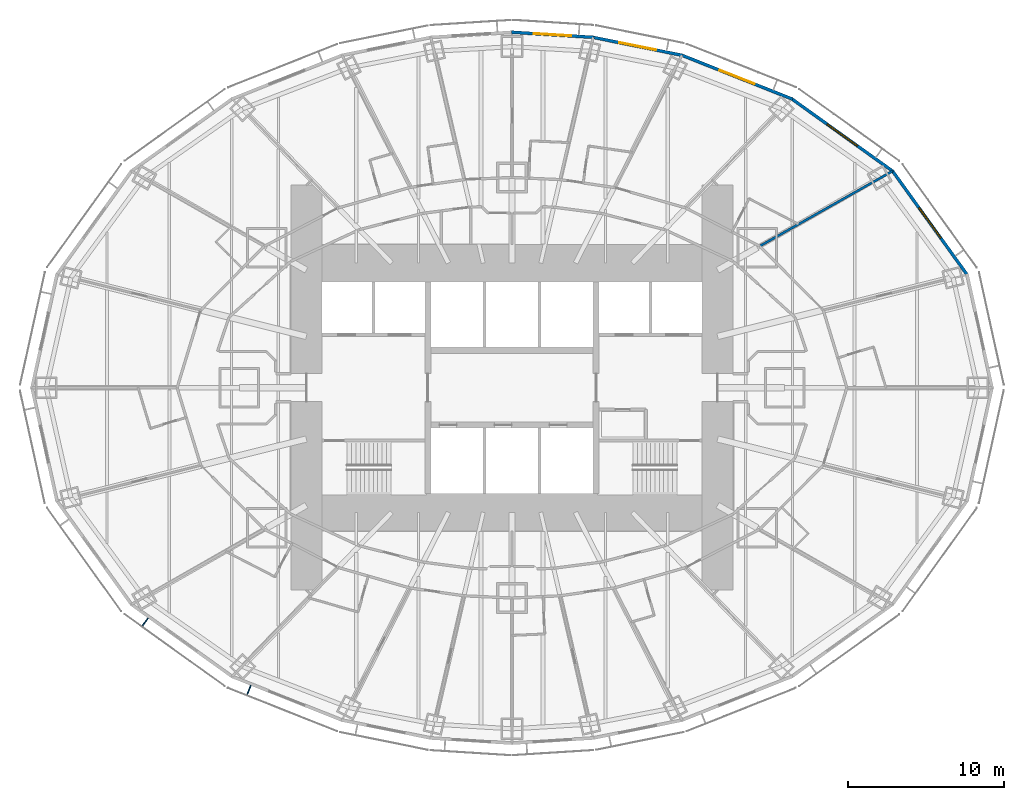
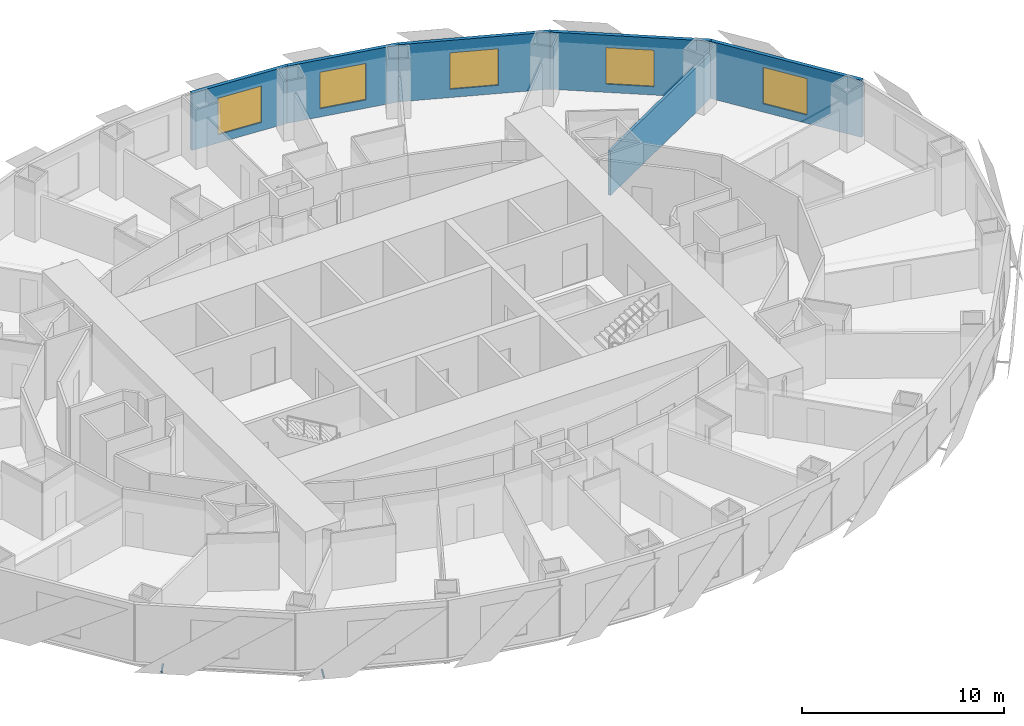
# One storey, part 10 of 15: 6 walls, 5 windows, 2 discrete accessories, 5 openings.
"""IFC4 building model written with IfcOpenShell, lengths in metres."""

import ifcopenshell
import ifcopenshell.guid

model = None  # the IFC model being written
_history = None  # IfcOwnerHistory: only IFC2X3 demands one
_inside = {}  # id of a spatial element -> (the spatial element, [elements in it])
_under = {}  # id of a project, library or spatial element -> (it, [spatial elements below it])
_declared = {}  # id of a project -> (the project, [libraries it declares])
_typed = {}  # id of a type object -> (the type object, [elements of that type])
_made_of = {}  # id of a material, layer set ... -> (it, [elements and type objects made of it])


def new_model(schema):
    """Start an empty IFC model of exactly this schema.

    Asked for "IFC4X3", IfcOpenShell would pick the latest addendum, in which some entities
    have other attributes; the version numbers below select the first issue.
    IFC2X3 requires an IfcOwnerHistory on every rooted entity: one is made here for all.
    """
    global model, _history
    if schema == "IFC4X3":
        model = ifcopenshell.file(schema_version=(4, 3, 0, 0))
    else:
        model = ifcopenshell.file(schema=schema)
    _inside.clear()
    _under.clear()
    _declared.clear()
    _typed.clear()
    _made_of.clear()
    _history = None
    if model.schema == "IFC2X3":
        org = make("IfcOrganization", Name="unknown")
        user = make(
            "IfcPersonAndOrganization",
            ThePerson=make("IfcPerson", FamilyName="unknown"),
            TheOrganization=org,
        )
        app = make(
            "IfcApplication",
            ApplicationDeveloper=org,
            Version="unknown",
            ApplicationFullName="unknown",
            ApplicationIdentifier="unknown",
        )
        _history = make(
            "IfcOwnerHistory",
            OwningUser=user,
            OwningApplication=app,
            ChangeAction="ADDED",
            CreationDate=0,
        )
    return model


def make(cls, **values):
    """One entity of the class cls with the attributes given. An attribute that is None is left unset."""
    return model.create_entity(
        cls, **{name: value for name, value in values.items() if value is not None}
    )


def rooted(cls, **values):
    """An entity with a GlobalId (a new one), such as an element, a storey or a relation."""
    return make(cls, GlobalId=ifcopenshell.guid.new(), OwnerHistory=_history, **values)


def si_unit(unit_type, name, prefix=None):
    """IfcSIUnit, for example si_unit("LENGTHUNIT", "METRE", prefix="MILLI")."""
    return make("IfcSIUnit", UnitType=unit_type, Prefix=prefix, Name=name)


def assignment(units):
    """IfcUnitAssignment: the units of a project."""
    return None if units is None else make("IfcUnitAssignment", Units=units)


def point(xyz):
    """IfcCartesianPoint."""
    return None if xyz is None else make("IfcCartesianPoint", Coordinates=xyz)


def direction(xyz):
    """IfcDirection."""
    return None if xyz is None else make("IfcDirection", DirectionRatios=xyz)


def frame(location, z_axis=None, x_axis=None):
    """IfcAxis2Placement3D, a coordinate frame: its origin and axes. An axis left out is left unset."""
    return make(
        "IfcAxis2Placement3D",
        Location=point(location),
        Axis=direction(z_axis),
        RefDirection=direction(x_axis),
    )


def frame_2d(location, x_axis=None):
    """IfcAxis2Placement2D, a coordinate frame in the plane: its origin and x axis."""
    return make(
        "IfcAxis2Placement2D", Location=point(location), RefDirection=direction(x_axis)
    )


def origin():
    """The frame at (0, 0, 0) with its axes left unset."""
    return frame((0.0, 0.0, 0.0))


def origin_2d():
    """The frame at (0, 0) in the plane with its x axis left unset."""
    return frame_2d((0.0, 0.0))


def place(relative_to, where):
    """IfcLocalPlacement: puts the frame where relative to a parent placement (None: the world)."""
    return make(
        "IfcLocalPlacement", PlacementRelTo=relative_to, RelativePlacement=where
    )


def context(
    kind, dimensions, precision=None, world=None, true_north=None, identifier=None
):
    """IfcGeometricRepresentationContext, for example the 3D "Model" context."""
    return make(
        "IfcGeometricRepresentationContext",
        ContextIdentifier=identifier,
        ContextType=kind,
        CoordinateSpaceDimension=dimensions,
        Precision=precision,
        WorldCoordinateSystem=world,
        TrueNorth=true_north,
    )


def subcontext(parent, identifier, kind, view, scale=None):
    """IfcGeometricRepresentationSubContext, for example "Body" below "Model"."""
    return make(
        "IfcGeometricRepresentationSubContext",
        ContextIdentifier=identifier,
        ContextType=kind,
        ParentContext=parent,
        TargetScale=scale,
        TargetView=view,
    )


def project(units=None, contexts=None):
    """IfcProject with its units and contexts."""
    return rooted(
        "IfcProject",
        Name="project",
        RepresentationContexts=contexts,
        UnitsInContext=assignment(units),
    )


def spatial(cls, under=None, at=None, **own):
    """A site, building, storey or space (cls), placed at a placement, below another one or the project."""
    s = rooted(cls, ObjectPlacement=at, **own)
    if under is not None:
        _under.setdefault(under.id(), (under, []))[1].append(s)
    return s


def profile(cls, at=None, kind="AREA", **sizes):
    """A parametric profile (cls). Its sizes go by their IFC names, for example OverallWidth=200.0."""
    return make(cls, ProfileType=kind, Position=at, **sizes)


def rectangle(**sizes):
    """IfcRectangleProfileDef."""
    return profile("IfcRectangleProfileDef", **sizes)


def extrude(swept, where, along, depth):
    """IfcExtrudedAreaSolid: the profile swept, set in the frame where, extruded along a direction by depth."""
    return make(
        "IfcExtrudedAreaSolid",
        SweptArea=swept,
        Position=where,
        ExtrudedDirection=direction(along),
        Depth=depth,
    )


def shape(context_of_items, identifier, shape_type, items):
    """IfcShapeRepresentation: the items that make up one representation, for example the "Body"."""
    return make(
        "IfcShapeRepresentation",
        ContextOfItems=context_of_items,
        RepresentationIdentifier=identifier,
        RepresentationType=shape_type,
        Items=items,
    )


def material(Name=None, Category=None):
    """IfcMaterial."""
    return make("IfcMaterial", Name=Name, Category=Category)


def layer(
    of_material, thickness, ventilated=None, Name=None, Category=None, Priority=None
):
    """IfcMaterialLayer: one layer of a wall or slab, of a material (None: an air gap)."""
    return make(
        "IfcMaterialLayer",
        Material=of_material,
        LayerThickness=thickness,
        IsVentilated=ventilated,
        Name=Name,
        Category=Category,
        Priority=Priority,
    )


def layer_set(layers, Name=None):
    """IfcMaterialLayerSet."""
    return make("IfcMaterialLayerSet", MaterialLayers=layers, LayerSetName=Name)


def made_of(thing, what):
    """Note that an element or type object is made of a material, layer set ...; save() writes the relation."""
    if what is not None:
        _made_of.setdefault(what.id(), (what, []))[1].append(thing)
    return thing


def type_object(cls, material=None, **own):
    """A type object (cls), such as IfcWallType, which elements share."""
    return made_of(rooted(cls, **own), material)


def element(
    cls,
    number,
    at=None,
    inside=None,
    cuts=None,
    type_object=None,
    material=None,
    context=None,
    identifier="Body",
    shape_type=None,
    held_by="IfcProductDefinitionShape",
    body=None,
    shapes=None,
    **own,
):
    """One element of the class cls, such as IfcWall. Its Tag is "e" and its number.

    at: its placement. inside: the storey or other place that contains it. cuts: it is an
    opening in that element (IfcRelVoidsElement). A single representation is given by context,
    identifier, shape_type and body (its items); several are given by shapes. held_by: the class
    of the entity that holds the representations. save() writes the other relations.
    """
    e = rooted(cls, Tag="e%d" % number, ObjectPlacement=at, **own)
    if body is not None:
        shapes = [shape(context, identifier, shape_type, body)]
    if shapes is not None:
        e.Representation = make(held_by, Representations=shapes)
    if inside is not None:
        _inside.setdefault(inside.id(), (inside, []))[1].append(e)
    if cuts is not None:
        rooted(
            "IfcRelVoidsElement", RelatingBuildingElement=cuts, RelatedOpeningElement=e
        )
    if type_object is not None:
        _typed.setdefault(type_object.id(), (type_object, []))[1].append(e)
    return made_of(e, material)


def fill(opening, filler):
    """IfcRelFillsElement: the door or window that sits in an opening."""
    return rooted(
        "IfcRelFillsElement",
        RelatingOpeningElement=opening,
        RelatedBuildingElement=filler,
    )


def aggregate(whole, parts):
    """IfcRelAggregates: a whole, such as a stair, and the parts it consists of."""
    return rooted("IfcRelAggregates", RelatingObject=whole, RelatedObjects=parts)


def save(model, path):
    """Write the relations noted so far, then the file.

    IfcRelAggregates (storeys below a building ...), IfcRelContainedInSpatialStructure (elements
    in a storey), IfcRelDefinesByType, IfcRelAssociatesMaterial and IfcRelDeclares: one each for
    every whole, place, type object, material and project.
    """
    for whole, parts in _under.values():
        aggregate(whole, parts)
    for where, things in _inside.values():
        rooted(
            "IfcRelContainedInSpatialStructure",
            RelatedElements=things,
            RelatingStructure=where,
        )
    for kind, things in _typed.values():
        rooted("IfcRelDefinesByType", RelatedObjects=things, RelatingType=kind)
    for what, things in _made_of.values():
        rooted("IfcRelAssociatesMaterial", RelatedObjects=things, RelatingMaterial=what)
    for by, libraries in _declared.values():
        rooted("IfcRelDeclares", RelatingContext=by, RelatedDefinitions=libraries)
    model.write(path)


model = new_model("IFC4")

# Units and contexts
model_context = context("Model", 3, precision=1e-05, world=origin(), true_north=direction((0.0, 1.0)))
body_context = subcontext(model_context, "Body", "Model", "MODEL_VIEW")
ifc_project = project(units=[si_unit("LENGTHUNIT", "METRE"), si_unit("AREAUNIT", "SQUARE_METRE"), si_unit("VOLUMEUNIT", "CUBIC_METRE"), si_unit("PLANEANGLEUNIT", "RADIAN"), si_unit("MASSUNIT", "GRAM", prefix="KILO")], contexts=[model_context])

# Site, building, storey
site_placement = place(None, origin())
site = spatial("IfcSite", under=ifc_project, at=site_placement, CompositionType="ELEMENT")
building_placement = place(site_placement, origin())
building = spatial("IfcBuilding", under=site, at=building_placement, Name="Lantaw Convention Tower", CompositionType="ELEMENT")
storey_placement = place(building_placement, frame((0.0, 0.0, 47.800048828125)))
storey = spatial("IfcBuildingStorey", under=building, at=storey_placement, Name="L09", CompositionType="ELEMENT", Elevation=47.800048828125)

# Wall, opening, window
ifc_material_1 = material(Name="Insulated aluminium panel on steel frame", Category="steel")
ifc_layer_1 = layer(ifc_material_1, 0.199951171875)
ifc_layer_set_1 = layer_set([ifc_layer_1], Name="External wall 200")
wall_type_1 = type_object("IfcWallType", Name="External wall 200", PredefinedType="SOLIDWALL", material=ifc_layer_set_1)
wall_1_placement = place(storey_placement, frame((29.260498046875, 7.199951171875, 0.0), z_axis=(0.0, 0.0, 1.0), x_axis=(-0.583937613703, 0.811798536155, 0.0)))
wall_1 = element("IfcWall", 1, at=wall_1_placement, inside=storey, type_object=wall_type_1, Name="Facade panel wall", PredefinedType="SOLIDWALL", context=body_context, shape_type="SweptSolid", body=[
    extrude(rectangle(XDim=8.322998046875, YDim=0.199951171875, at=frame_2d((4.16162109375, 0.0))), origin(), (0.0, 0.0, 1.0), 3.449951171875),
])
opening_1_placement = place(wall_1_placement, frame((2.96142578125, 0.0, 0.5)))
opening_1 = element("IfcOpeningElement", 2, at=opening_1_placement, cuts=wall_1, Name="Opening W1", PredefinedType="OPENING", context=body_context, shape_type="SweptSolid", body=[
    extrude(rectangle(XDim=2.39990234375, YDim=2.199951171875, at=frame_2d((1.199951171875, 1.10009765625))), frame((0.0, 0.10986328125, 0.0), z_axis=(0.0, -1.0, 0.0), x_axis=(1.0, 0.0, 0.0)), (0.0, 0.0, 1.0), 0.219970703125),
])
ifc_material_2 = material(Name="Aluminium frame, clear insulating glass", Category="aluminium")
window_type = type_object("IfcWindowType", Name="Guest room window 2400x2200", PartitioningType="SINGLE_PANEL", PredefinedType="WINDOW", material=ifc_material_2)
window_1_placement = place(opening_1_placement, origin())
window_1 = element("IfcWindow", 3, at=window_1_placement, inside=storey, type_object=window_type, Name="Guest room window", OverallHeight=2.199951171875, OverallWidth=2.39990234375, PartitioningType="SINGLE_PANEL", PredefinedType="WINDOW", context=body_context, shape_type="SweptSolid", body=[
    extrude(rectangle(XDim=2.39990234375, YDim=2.199951171875, at=frame_2d((1.199951171875, 1.10009765625))), frame((0.0, 0.030029296875, 0.0), z_axis=(0.0, -1.0, 0.0), x_axis=(1.0, 0.0, 0.0)), (0.0, 0.0, 1.0), 0.06005859375),
])
fill(opening_1, window_1)

wall_2_placement = place(storey_placement, frame((24.482421875, 13.87451171875, 0.0), z_axis=(0.0, 0.0, 1.0), x_axis=(-0.812791321576, 0.582554948112, 0.0)))
wall_2 = element("IfcWall", 4, at=wall_2_placement, inside=storey, type_object=wall_type_1, Name="Facade panel wall", PredefinedType="SOLIDWALL", context=body_context, shape_type="SweptSolid", body=[
    extrude(rectangle(XDim=8.063232421875, YDim=0.199951171875, at=frame_2d((4.03173828125, 0.0))), origin(), (0.0, 0.0, 1.0), 3.449951171875),
])
opening_2_placement = place(wall_2_placement, frame((2.83154296875, 0.0, 0.5)))
opening_2 = element("IfcOpeningElement", 5, at=opening_2_placement, cuts=wall_2, Name="Opening W1", PredefinedType="OPENING", context=body_context, shape_type="SweptSolid", body=[
    extrude(rectangle(XDim=2.39990234375, YDim=2.199951171875, at=frame_2d((1.199951171875, 1.10009765625))), frame((0.0, 0.10986328125, 0.0), z_axis=(0.0, -1.0, 0.0), x_axis=(1.0, 0.0, 0.0)), (0.0, 0.0, 1.0), 0.219970703125),
])
window_2_placement = place(opening_2_placement, origin())
window_2 = element("IfcWindow", 6, at=window_2_placement, inside=storey, type_object=window_type, Name="Guest room window", OverallHeight=2.199951171875, OverallWidth=2.39990234375, PartitioningType="SINGLE_PANEL", PredefinedType="WINDOW", context=body_context, shape_type="SweptSolid", body=[
    extrude(rectangle(XDim=2.39990234375, YDim=2.199951171875, at=frame_2d((1.199951171875, 1.10009765625))), frame((0.0, 0.030029296875, 0.0), z_axis=(0.0, -1.0, 0.0), x_axis=(1.0, 0.0, 0.0)), (0.0, 0.0, 1.0), 0.06005859375),
])
fill(opening_2, window_2)

wall_3_placement = place(storey_placement, frame((18.018310546875, 18.522705078125, 0.0), z_axis=(0.0, 0.0, 1.0), x_axis=(-0.929358351251, 0.369178892895, 0.0)))
wall_3 = element("IfcWall", 7, at=wall_3_placement, inside=storey, type_object=wall_type_1, Name="Facade panel wall", PredefinedType="SOLIDWALL", context=body_context, shape_type="SweptSolid", body=[
    extrude(rectangle(XDim=7.6923828125, YDim=0.199951171875, at=frame_2d((3.84619140625, 0.0))), origin(), (0.0, 0.0, 1.0), 3.449951171875),
])
opening_3_placement = place(wall_3_placement, frame((2.64599609375, 0.0, 0.5)))
opening_3 = element("IfcOpeningElement", 8, at=opening_3_placement, cuts=wall_3, Name="Opening W1", PredefinedType="OPENING", context=body_context, shape_type="SweptSolid", body=[
    extrude(rectangle(XDim=2.39990234375, YDim=2.199951171875, at=frame_2d((1.199951171875, 1.10009765625))), frame((0.0, 0.10986328125, 0.0), z_axis=(0.0, -1.0, 0.0), x_axis=(1.0, 0.0, 0.0)), (0.0, 0.0, 1.0), 0.219970703125),
])
window_3_placement = place(opening_3_placement, origin())
window_3 = element("IfcWindow", 9, at=window_3_placement, inside=storey, type_object=window_type, Name="Guest room window", OverallHeight=2.199951171875, OverallWidth=2.39990234375, PartitioningType="SINGLE_PANEL", PredefinedType="WINDOW", context=body_context, shape_type="SweptSolid", body=[
    extrude(rectangle(XDim=2.39990234375, YDim=2.199951171875, at=frame_2d((1.199951171875, 1.10009765625))), frame((0.0, 0.030029296875, 0.0), z_axis=(0.0, -1.0, 0.0), x_axis=(1.0, 0.0, 0.0)), (0.0, 0.0, 1.0), 0.06005859375),
])
fill(opening_3, window_3)

wall_4_placement = place(storey_placement, frame((10.956787109375, 21.336669921875, 0.0), z_axis=(0.0, 0.0, 1.0), x_axis=(-0.980251657452, 0.197754110105, 0.0)))
wall_4 = element("IfcWall", 10, at=wall_4_placement, inside=storey, type_object=wall_type_1, Name="Facade panel wall", PredefinedType="SOLIDWALL", context=body_context, shape_type="SweptSolid", body=[
    extrude(rectangle(XDim=5.90380859375, YDim=0.199951171875, at=frame_2d((2.951904296875, 0.0))), origin(), (0.0, 0.0, 1.0), 3.449951171875),
])
opening_4_placement = place(wall_4_placement, frame((1.751708984375, 0.0, 0.5)))
opening_4 = element("IfcOpeningElement", 11, at=opening_4_placement, cuts=wall_4, Name="Opening W1", PredefinedType="OPENING", context=body_context, shape_type="SweptSolid", body=[
    extrude(rectangle(XDim=2.39990234375, YDim=2.199951171875, at=frame_2d((1.199951171875, 1.10009765625))), frame((0.0, 0.10986328125, 0.0), z_axis=(0.0, -1.0, 0.0), x_axis=(1.0, 0.0, 0.0)), (0.0, 0.0, 1.0), 0.219970703125),
])
window_4_placement = place(opening_4_placement, origin())
window_4 = element("IfcWindow", 12, at=window_4_placement, inside=storey, type_object=window_type, Name="Guest room window", OverallHeight=2.199951171875, OverallWidth=2.39990234375, PartitioningType="SINGLE_PANEL", PredefinedType="WINDOW", context=body_context, shape_type="SweptSolid", body=[
    extrude(rectangle(XDim=2.39990234375, YDim=2.199951171875, at=frame_2d((1.199951171875, 1.10009765625))), frame((0.0, 0.030029296875, 0.0), z_axis=(0.0, -1.0, 0.0), x_axis=(1.0, 0.0, 0.0)), (0.0, 0.0, 1.0), 0.06005859375),
])
fill(opening_4, window_4)

wall_5_placement = place(storey_placement, frame((5.252685546875, 22.493408203125, 0.0), z_axis=(0.0, 0.0, 1.0), x_axis=(-0.998018582375, 0.062919863585, 0.0)))
wall_5 = element("IfcWall", 13, at=wall_5_placement, inside=storey, type_object=wall_type_1, Name="Facade panel wall", PredefinedType="SOLIDWALL", context=body_context, shape_type="SweptSolid", body=[
    extrude(rectangle(XDim=5.30419921875, YDim=0.199951171875, at=frame_2d((2.652099609375, 0.0))), origin(), (0.0, 0.0, 1.0), 3.449951171875),
])
opening_5_placement = place(wall_5_placement, frame((1.4521484375, 0.0, 0.5)))
opening_5 = element("IfcOpeningElement", 14, at=opening_5_placement, cuts=wall_5, Name="Opening W1", PredefinedType="OPENING", context=body_context, shape_type="SweptSolid", body=[
    extrude(rectangle(XDim=2.39990234375, YDim=2.199951171875, at=frame_2d((1.199951171875, 1.10009765625))), frame((0.0, 0.10986328125, 0.0), z_axis=(0.0, -1.0, 0.0), x_axis=(1.0, 0.0, 0.0)), (0.0, 0.0, 1.0), 0.219970703125),
])
window_5_placement = place(opening_5_placement, origin())
window_5 = element("IfcWindow", 15, at=window_5_placement, inside=storey, type_object=window_type, Name="Guest room window", OverallHeight=2.199951171875, OverallWidth=2.39990234375, PartitioningType="SINGLE_PANEL", PredefinedType="WINDOW", context=body_context, shape_type="SweptSolid", body=[
    extrude(rectangle(XDim=2.39990234375, YDim=2.199951171875, at=frame_2d((1.199951171875, 1.10009765625))), frame((0.0, 0.030029296875, 0.0), z_axis=(0.0, -1.0, 0.0), x_axis=(1.0, 0.0, 0.0)), (0.0, 0.0, 1.0), 0.06005859375),
])
fill(opening_5, window_5)

# Wall
ifc_material_3 = material(Name="Gypsum board on steel studs, acoustic", Category="steel")
ifc_layer_2 = layer(ifc_material_3, 0.14990234375)
ifc_layer_set_2 = layer_set([ifc_layer_2], Name="Guest room party wall 150")
wall_type_2 = type_object("IfcWallType", Name="Guest room party wall 150", PredefinedType="PARTITIONING", material=ifc_layer_set_2)
wall_6_placement = place(storey_placement, frame((24.434814453125, 13.90869140625, 0.0), z_axis=(0.0, 0.0, 1.0), x_axis=(-0.870612006791, -0.491970256856, 0.0)))
element("IfcWall", 16, at=wall_6_placement, inside=storey, type_object=wall_type_2, Name="Guest room party wall 150", PredefinedType="PARTITIONING", context=body_context, shape_type="SweptSolid", body=[
    extrude(rectangle(XDim=9.802001953125, YDim=0.14990234375, at=frame_2d((4.90087890625, 0.0))), origin(), (0.0, 0.0, 1.0), 2.693115234375),
])

# Discrete accessories
for number, where, z_axis, x_axis, name in (
    (17, (-23.564453125, -15.06640625, -0.114990234375), (0.0, 0.0, 1.0), (0.812803733199, -0.5825376308, 0.0), "Screen bracket"),
    (18, (-16.898193359375, -19.4345703125, -0.114990234375), (0.0, 0.0, 1.0), (0.929361152748, -0.369171840425, 0.0), "Screen bracket"),
):
    element("IfcDiscreteAccessory", number, at=place(storey_placement, frame(where, z_axis=z_axis, x_axis=x_axis)), inside=storey, Name=name, PredefinedType="BRACKET", context=body_context, shape_type="SweptSolid", body=[
        extrude(rectangle(XDim=0.080078125, YDim=0.68798828125, at=origin_2d()), origin(), (0.0, 0.0, 1.0), 0.080078125),
    ])

save(model, "model.ifc")
